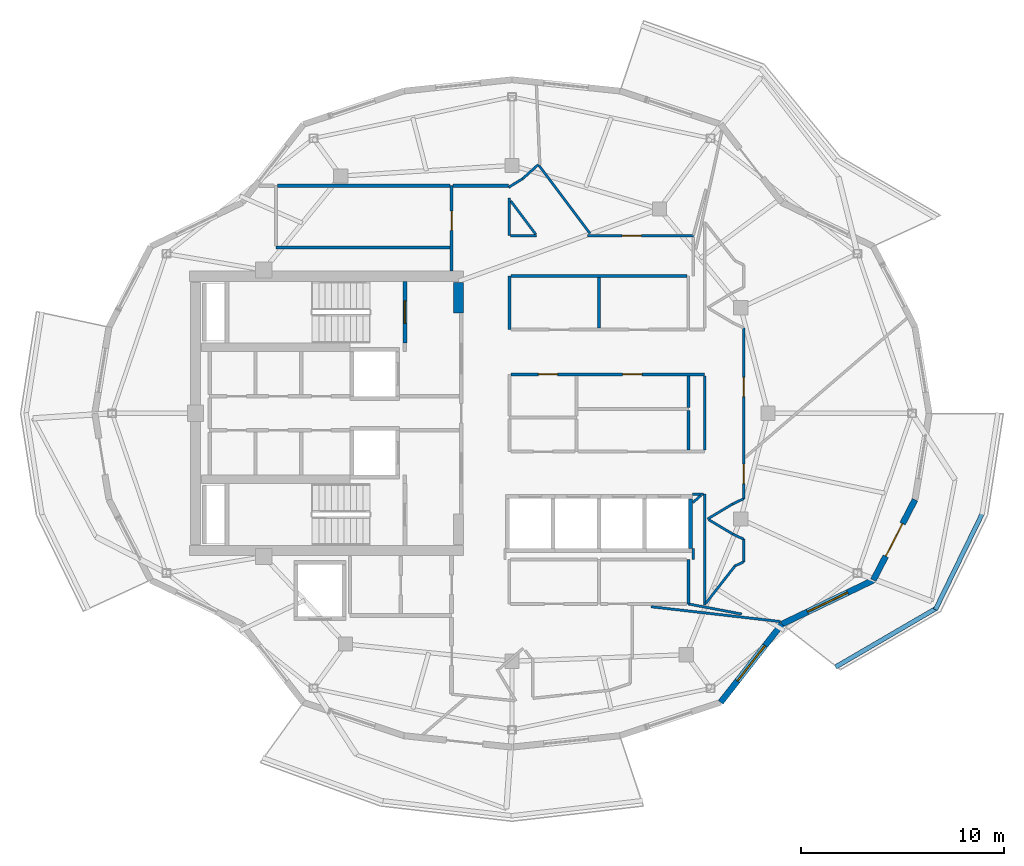
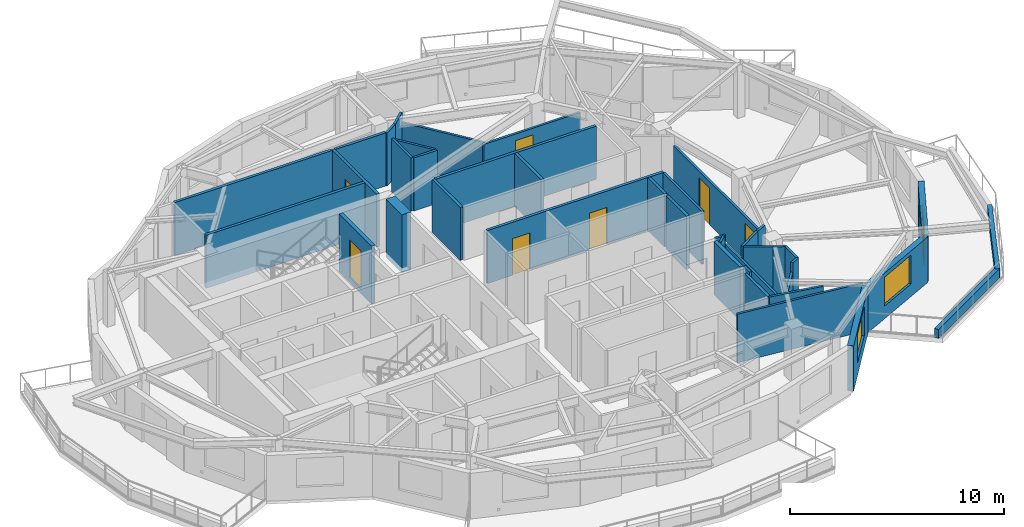
# One storey, part 6 of 11: 41 walls, 8 doors, 2 windows, 10 openings.
"""IFC4 building model written with IfcOpenShell, lengths in metres."""

from ifc_helpers import new_model, si_unit, direction, frame, frame_2d, origin, place, context, subcontext, project, spatial, rectangle, extrude, material, layer, layer_set, type_object, element, fill, save


model = new_model("IFC4")

# Units and contexts
model_context = context("Model", 3, precision=1e-05, world=origin(), true_north=direction((0.0, 1.0)))
body_context = subcontext(model_context, "Body", "Model", "MODEL_VIEW")
ifc_project = project(units=[si_unit("LENGTHUNIT", "METRE"), si_unit("AREAUNIT", "SQUARE_METRE"), si_unit("VOLUMEUNIT", "CUBIC_METRE"), si_unit("PLANEANGLEUNIT", "RADIAN"), si_unit("MASSUNIT", "GRAM", prefix="KILO")], contexts=[model_context])

# Site, building, storey
site_placement = place(None, origin())
site = spatial("IfcSite", under=ifc_project, at=site_placement, CompositionType="ELEMENT")
building_placement = place(site_placement, origin())
building = spatial("IfcBuilding", under=site, at=building_placement, Name="Kolvaren Gate Tower and Convention Centre", CompositionType="ELEMENT")
storey_placement = place(building_placement, frame((0.0, 0.0, 262.39990234375)))
storey = spatial("IfcBuildingStorey", under=building, at=storey_placement, Name="L71", CompositionType="ELEMENT", Elevation=262.39990234375)

# Walls
ifc_material_1 = material(Name="Fire-Rated Acoustic Gypsum Stud Partition", Category="gypsum")
ifc_layer_1 = layer(ifc_material_1, 0.1201171875)
ifc_layer_set_1 = layer_set([ifc_layer_1], Name="Fire-Rated Acoustic Gypsum Stud Partition")
wall_type_1 = type_object("IfcWallType", Name="ARCH-WL-PART-120", PredefinedType="PARTITIONING", material=ifc_layer_set_1)
wall_1_placement = place(storey_placement, frame((30.0, 35.75, 0.0), z_axis=(0.0, 0.0, 1.0), x_axis=(0.0, 1.0, 0.0)))
element("IfcWall", 1, at=wall_1_placement, inside=storey, type_object=wall_type_1, Name="Interior Partition WL-L71-INT-020", PredefinedType="PARTITIONING", context=body_context, shape_type="SweptSolid", body=[
    extrude(rectangle(XDim=1.8369140625, YDim=0.1201171875, at=frame_2d((0.91845703125, 0.0))), origin(), (0.0, 0.0, 1.0), 3.030029296875),
])
wall_2_placement = place(storey_placement, frame((29.9599609375, 38.123046875, 0.0), z_axis=(0.0, 0.0, 1.0), x_axis=(0.852506956574, 0.522715877885, 0.0)))
element("IfcWall", 2, at=wall_2_placement, inside=storey, type_object=wall_type_1, Name="Interior Partition WL-L71-INT-037", PredefinedType="PARTITIONING", context=body_context, shape_type="SweptSolid", body=[
    extrude(rectangle(XDim=0.81884765625, YDim=0.1201171875, at=frame_2d((0.409423828125, 0.0))), origin(), (0.0, 0.0, 1.0), 3.030029296875),
])
wall_3_placement = place(storey_placement, frame((30.657958984375, 38.551025390625, 0.0), z_axis=(0.0, 0.0, 1.0), x_axis=(0.74084279818, 0.671678456097, 0.0)))
element("IfcWall", 3, at=wall_3_placement, inside=storey, type_object=wall_type_1, Name="Interior Partition WL-L71-INT-038", PredefinedType="PARTITIONING", context=body_context, shape_type="SweptSolid", body=[
    extrude(rectangle(XDim=1.027099609375, YDim=0.1201171875, at=frame_2d((0.513671875, 0.0))), origin(), (0.0, 0.0, 1.0), 3.030029296875),
])
wall_4_placement = place(storey_placement, frame((31.456298828125, 39.191162109375, 0.0), z_axis=(0.0, 0.0, 1.0), x_axis=(0.600056078533, -0.799957938029, 0.0)))
element("IfcWall", 4, at=wall_4_placement, inside=storey, type_object=wall_type_1, Name="Interior Partition WL-L71-INT-039", PredefinedType="PARTITIONING", context=body_context, shape_type="SweptSolid", body=[
    extrude(rectangle(XDim=4.17919921875, YDim=0.1201171875, at=frame_2d((2.089599609375, 0.0))), origin(), (0.0, 0.0, 1.0), 2.47802734375),
])
wall_5_placement = place(storey_placement, frame((30.06201171875, 35.75, 0.0), z_axis=(0.0, 0.0, 1.0), x_axis=(1.0, 0.0, 0.0)))
element("IfcWall", 5, at=wall_5_placement, inside=storey, type_object=wall_type_1, Name="Interior Partition WL-L71-INT-040", PredefinedType="PARTITIONING", context=body_context, shape_type="SweptSolid", body=[
    extrude(rectangle(XDim=1.27490234375, YDim=0.1201171875, at=frame_2d((0.637451171875, 0.0))), origin(), (0.0, 0.0, 1.0), 3.030029296875),
])

# Wall, opening, door
wall_6_placement = place(storey_placement, frame((33.8330078125, 35.75, 0.0), z_axis=(0.0, 0.0, 1.0), x_axis=(1.0, 0.0, 0.0)))
wall_6 = element("IfcWall", 6, at=wall_6_placement, inside=storey, type_object=wall_type_1, Name="Interior Partition WL-L71-INT-041", PredefinedType="PARTITIONING", context=body_context, shape_type="SweptSolid", body=[
    extrude(rectangle(XDim=5.217041015625, YDim=0.1201171875, at=frame_2d((2.6083984375, 0.0))), origin(), (0.0, 0.0, 1.0), 2.47802734375),
])
opening_1_placement = place(wall_6_placement, frame((1.71337890625, 0.0, 0.0)))
opening_1 = element("IfcOpeningElement", 7, at=opening_1_placement, cuts=wall_6, Name="Opening DR-01", PredefinedType="OPENING", context=body_context, shape_type="SweptSolid", body=[
    extrude(rectangle(XDim=0.949951171875, YDim=2.10009765625, at=frame_2d((0.47509765625, 1.050048828125))), frame((0.0, 0.070068359375, 0.0), z_axis=(0.0, -1.0, 0.0), x_axis=(1.0, 0.0, 0.0)), (0.0, 0.0, 1.0), 0.14013671875),
])
ifc_material_2 = material(Name="Painted Architectural Steelwork ASTM A500 Grade C 345 MPa", Category="steel")
door_type_1 = type_object("IfcDoorType", Name="ARCH-DR-RISER-950", OperationType="SINGLE_SWING_RIGHT", PredefinedType="DOOR", material=ifc_material_2)
door_1_placement = place(opening_1_placement, origin())
door_1 = element("IfcDoor", 8, at=door_1_placement, inside=storey, type_object=door_type_1, Name="Crown Executive Office Door", OperationType="SINGLE_SWING_RIGHT", OverallHeight=2.10009765625, OverallWidth=0.949951171875, PredefinedType="DOOR", context=body_context, shape_type="SweptSolid", body=[
    extrude(rectangle(XDim=0.949951171875, YDim=2.10009765625, at=frame_2d((0.47509765625, 1.050048828125))), frame((0.0, 0.02490234375, 0.0), z_axis=(0.0, -1.0, 0.0), x_axis=(1.0, 0.0, 0.0)), (0.0, 0.0, 1.0), 0.050048828125),
])
fill(opening_1, door_1)

# Walls
wall_7_placement = place(storey_placement, frame((39.050048828125, 19.800048828125, 0.0), z_axis=(0.0, 0.0, 1.0), x_axis=(0.0, 1.0, 0.0)))
element("IfcWall", 9, at=wall_7_placement, inside=storey, type_object=wall_type_1, Name="Interior Partition WL-L71-INT-042", PredefinedType="PARTITIONING", context=body_context, shape_type="SweptSolid", body=[
    extrude(rectangle(XDim=0.56005859375, YDim=0.1201171875, at=frame_2d((0.280029296875, 0.0))), origin(), (0.0, 0.0, 1.0), 3.030029296875),
])
wall_8_placement = place(storey_placement, frame((39.60009765625, 17.572998046875, 0.0), z_axis=(0.0, 0.0, 1.0), x_axis=(0.0, 1.0, 0.0)))
element("IfcWall", 10, at=wall_8_placement, inside=storey, type_object=wall_type_1, Name="Interior Partition WL-L71-INT-044", PredefinedType="PARTITIONING", context=body_context, shape_type="SweptSolid", body=[
    extrude(rectangle(XDim=5.447021484375, YDim=0.1201171875, at=frame_2d((2.7236328125, 0.0))), origin(), (0.0, 0.0, 1.0), 2.47802734375),
])
wall_9_placement = place(storey_placement, frame((39.60009765625, 25.197021484375, 0.0), z_axis=(0.0, 0.0, 1.0), x_axis=(0.0, 1.0, 0.0)))
element("IfcWall", 11, at=wall_9_placement, inside=storey, type_object=wall_type_1, Name="Interior Partition WL-L71-INT-045", PredefinedType="PARTITIONING", context=body_context, shape_type="SweptSolid", body=[
    extrude(rectangle(XDim=3.64599609375, YDim=0.1201171875, at=frame_2d((1.822998046875, 0.0))), origin(), (0.0, 0.0, 1.0), 3.030029296875),
])
wall_10_placement = place(storey_placement, frame((41.52001953125, 19.69091796875, 0.0), z_axis=(0.0, 0.0, 1.0), x_axis=(0.0, 1.0, 0.0)))
element("IfcWall", 12, at=wall_10_placement, inside=storey, type_object=wall_type_1, Name="Interior Partition WL-L71-INT-049", PredefinedType="PARTITIONING", context=body_context, shape_type="SweptSolid", body=[
    extrude(rectangle(XDim=1.115966796875, YDim=0.1201171875, at=frame_2d((0.55810546875, 0.0))), origin(), (0.0, 0.0, 1.0), 3.030029296875),
])

# Wall, openings, doors
wall_11_placement = place(storey_placement, frame((41.52001953125, 22.7939453125, 0.0), z_axis=(0.0, 0.0, 1.0), x_axis=(0.0, 1.0, 0.0)))
wall_11 = element("IfcWall", 13, at=wall_11_placement, inside=storey, type_object=wall_type_1, Name="Interior Partition WL-L71-INT-050", PredefinedType="PARTITIONING", context=body_context, shape_type="SweptSolid", body=[
    extrude(rectangle(XDim=8.412109375, YDim=0.1201171875, at=frame_2d((4.2060546875, 0.0))), origin(), (0.0, 0.0, 1.0), 2.47802734375),
])
opening_2_placement = place(wall_11_placement, frame((0.751708984375, 0.0, 0.0)))
opening_2 = element("IfcOpeningElement", 14, at=opening_2_placement, cuts=wall_11, Name="Opening DR-01", PredefinedType="OPENING", context=body_context, shape_type="SweptSolid", body=[
    extrude(rectangle(XDim=0.949951171875, YDim=2.10009765625, at=frame_2d((0.47509765625, 1.050048828125))), frame((0.0, 0.070068359375, 0.0), z_axis=(0.0, -1.0, 0.0), x_axis=(1.0, 0.0, 0.0)), (0.0, 0.0, 1.0), 0.14013671875),
])
opening_3_placement = place(wall_11_placement, frame((5.03125, 0.0, 0.0)))
opening_3 = element("IfcOpeningElement", 15, at=opening_3_placement, cuts=wall_11, Name="Opening DR-01", PredefinedType="OPENING", context=body_context, shape_type="SweptSolid", body=[
    extrude(rectangle(XDim=0.949951171875, YDim=2.10009765625, at=frame_2d((0.47509765625, 1.050048828125))), frame((0.0, 0.070068359375, 0.0), z_axis=(0.0, -1.0, 0.0), x_axis=(1.0, 0.0, 0.0)), (0.0, 0.0, 1.0), 0.14013671875),
])
door_2_placement = place(opening_2_placement, origin())
door_2 = element("IfcDoor", 16, at=door_2_placement, inside=storey, type_object=door_type_1, Name="Resident Quiet Study Office Door", OperationType="SINGLE_SWING_RIGHT", OverallHeight=2.10009765625, OverallWidth=0.949951171875, PredefinedType="DOOR", context=body_context, shape_type="SweptSolid", body=[
    extrude(rectangle(XDim=0.949951171875, YDim=2.10009765625, at=frame_2d((0.47509765625, 1.050048828125))), frame((0.0, 0.02490234375, 0.0), z_axis=(0.0, -1.0, 0.0), x_axis=(1.0, 0.0, 0.0)), (0.0, 0.0, 1.0), 0.050048828125),
])
fill(opening_2, door_2)
door_3_placement = place(opening_3_placement, origin())
door_3 = element("IfcDoor", 17, at=door_3_placement, inside=storey, type_object=door_type_1, Name="Resident Private Study Door", OperationType="SINGLE_SWING_LEFT", OverallHeight=2.10009765625, OverallWidth=0.949951171875, PredefinedType="DOOR", context=body_context, shape_type="SweptSolid", body=[
    extrude(rectangle(XDim=0.949951171875, YDim=2.10009765625, at=frame_2d((0.47509765625, 1.050048828125))), frame((0.0, 0.02490234375, 0.0), z_axis=(0.0, -1.0, 0.0), x_axis=(1.0, 0.0, 0.0)), (0.0, 0.0, 1.0), 0.050048828125),
])
fill(opening_3, door_3)

# Walls
wall_12_placement = place(storey_placement, frame((40.986083984375, 22.541015625, 0.0), z_axis=(0.0, 0.0, 1.0), x_axis=(0.903729424576, 0.428104107847, 0.0)))
element("IfcWall", 18, at=wall_12_placement, inside=storey, type_object=wall_type_1, Name="Interior Partition WL-L71-INT-056", PredefinedType="PARTITIONING", context=body_context, shape_type="SweptSolid", body=[
    extrude(rectangle(XDim=0.5908203125, YDim=0.1201171875, at=frame_2d((0.29541015625, 0.0))), origin(), (0.0, 0.0, 1.0), 3.030029296875),
])
wall_13_placement = place(storey_placement, frame((39.75, 21.800048828125, 0.0), z_axis=(0.0, 0.0, 1.0), x_axis=(0.857702120906, 0.514146935996, 0.0)))
element("IfcWall", 19, at=wall_13_placement, inside=storey, type_object=wall_type_1, Name="Interior Partition WL-L71-INT-057", PredefinedType="PARTITIONING", context=body_context, shape_type="SweptSolid", body=[
    extrude(rectangle(XDim=1.441162109375, YDim=0.1201171875, at=frame_2d((0.720703125, 0.0))), origin(), (0.0, 0.0, 1.0), 3.030029296875),
])
wall_14_placement = place(storey_placement, frame((39.810302734375, 21.763916015625, 0.0), z_axis=(0.0, 0.0, 1.0), x_axis=(0.858011245414, -0.513630901273, 0.0)))
element("IfcWall", 20, at=wall_14_placement, inside=storey, type_object=wall_type_1, Name="Interior Partition WL-L71-INT-058", PredefinedType="PARTITIONING", context=body_context, shape_type="SweptSolid", body=[
    extrude(rectangle(XDim=1.370361328125, YDim=0.1201171875, at=frame_2d((0.68505859375, 0.0))), origin(), (0.0, 0.0, 1.0), 3.030029296875),
])
wall_15_placement = place(storey_placement, frame((40.986083984375, 21.06005859375, 0.0), z_axis=(0.0, 0.0, 1.0), x_axis=(0.90356951601, -0.428441512621, 0.0)))
element("IfcWall", 21, at=wall_15_placement, inside=storey, type_object=wall_type_1, Name="Interior Partition WL-L71-INT-059", PredefinedType="PARTITIONING", context=body_context, shape_type="SweptSolid", body=[
    extrude(rectangle(XDim=0.5908203125, YDim=0.1201171875, at=frame_2d((0.29541015625, 0.0))), origin(), (0.0, 0.0, 1.0), 3.030029296875),
])
wall_16_placement = place(storey_placement, frame((41.10009765625, 19.489990234375, 0.0), z_axis=(0.0, 0.0, 1.0), x_axis=(0.902054328377, 0.431622507125, 0.0)))
element("IfcWall", 22, at=wall_16_placement, inside=storey, type_object=wall_type_1, Name="Interior Partition WL-L71-INT-060", PredefinedType="PARTITIONING", context=body_context, shape_type="SweptSolid", body=[
    extrude(rectangle(XDim=0.465576171875, YDim=0.1201171875, at=frame_2d((0.23291015625, 0.0))), origin(), (0.0, 0.0, 1.0), 3.030029296875),
])
wall_17_placement = place(storey_placement, frame((39.662109375, 17.652099609375, 0.0), z_axis=(0.0, 0.0, 1.0), x_axis=(0.616212345115, 0.78758005671, 0.0)))
element("IfcWall", 23, at=wall_17_placement, inside=storey, type_object=wall_type_1, Name="Interior Partition WL-L71-INT-061", PredefinedType="PARTITIONING", context=body_context, shape_type="SweptSolid", body=[
    extrude(rectangle(XDim=2.33349609375, YDim=0.1201171875, at=frame_2d((1.166748046875, 0.0))), origin(), (0.0, 0.0, 1.0), 2.47802734375),
])
wall_18_placement = place(storey_placement, frame((39.0, 23.02001953125, 0.0), z_axis=(0.0, 0.0, 1.0), x_axis=(1.0, 0.0, 0.0)))
element("IfcWall", 24, at=wall_18_placement, inside=storey, type_object=wall_type_1, Name="Interior Partition WL-L71-INT-062", PredefinedType="PARTITIONING", context=body_context, shape_type="SweptSolid", body=[
    extrude(rectangle(XDim=0.5380859375, YDim=0.1201171875, at=frame_2d((0.26904296875, 0.0))), origin(), (0.0, 0.0, 1.0), 3.030029296875),
])
wall_19_placement = place(storey_placement, frame((30.06201171875, 37.450927734375, 0.0), z_axis=(0.0, 0.0, 1.0), x_axis=(0.599790195836, -0.800157310145, 0.0)))
element("IfcWall", 25, at=wall_19_placement, inside=storey, type_object=wall_type_1, Name="Interior Partition WL-L71-INT-072", PredefinedType="PARTITIONING", context=body_context, shape_type="SweptSolid", body=[
    extrude(rectangle(XDim=2.04833984375, YDim=0.1201171875, at=frame_2d((1.024169921875, 0.0))), origin(), (0.0, 0.0, 1.0), 3.030029296875),
])
wall_20_placement = place(storey_placement, frame((39.019775390625, 22.611083984375, 0.0), z_axis=(0.0, 0.0, 1.0), x_axis=(0.75812166899, 0.652113130529, 0.0)))
element("IfcWall", 26, at=wall_20_placement, inside=storey, type_object=wall_type_1, Name="Interior Partition WL-L71-INT-075", PredefinedType="PARTITIONING", context=body_context, shape_type="SweptSolid", body=[
    extrude(rectangle(XDim=0.531982421875, YDim=0.1201171875, at=frame_2d((0.26611328125, 0.0))), origin(), (0.0, 0.0, 1.0), 3.030029296875),
])
wall_21_placement = place(storey_placement, frame((36.972412109375, 17.48291015625, 0.0), z_axis=(0.0, 0.0, 1.0), x_axis=(0.993465006101, -0.114137117773, 0.0)))
element("IfcWall", 27, at=wall_21_placement, inside=storey, type_object=wall_type_1, Name="Interior Partition WL-L71-INT-077", PredefinedType="PARTITIONING", context=body_context, shape_type="SweptSolid", body=[
    extrude(rectangle(XDim=6.412841796875, YDim=0.1201171875, at=frame_2d((3.20654296875, 0.0))), origin(), (0.0, 0.0, 1.0), 2.77001953125),
])
wall_22_placement = place(storey_placement, frame((38.800048828125, 17.6201171875, 0.0), z_axis=(0.0, 0.0, 1.0), x_axis=(0.982513005499, -0.186193968823, 0.0)))
element("IfcWall", 28, at=wall_22_placement, inside=storey, type_object=wall_type_1, Name="Interior Partition WL-L71-INT-078", PredefinedType="PARTITIONING", context=body_context, shape_type="SweptSolid", body=[
    extrude(rectangle(XDim=2.67626953125, YDim=0.1201171875, at=frame_2d((1.338134765625, 0.0))), origin(), (0.0, 0.0, 1.0), 3.030029296875),
])
ifc_material_3 = material(Name="Piedmont Cream Honed Limestone Cladding", Category="masonry")
ifc_layer_2 = layer(ifc_material_3, 0.219970703125)
ifc_layer_set_2 = layer_set([ifc_layer_2], Name="Piedmont Cream Honed Limestone Cladding")
wall_type_2 = type_object("IfcWallType", Name="ARCH-WL-PLANTER-220", PredefinedType="PARAPET", material=ifc_layer_set_2)
wall_23_placement = place(storey_placement, frame((46.0478515625, 14.515380859375, 0.0), z_axis=(0.0, 0.0, 1.0), x_axis=(0.863803671285, 0.503828559606, 0.0)))
element("IfcWall", 29, at=wall_23_placement, inside=storey, type_object=wall_type_2, Name="Vertical-Forest Balcony Stone Planter Kerb PK-L71-4.1", PredefinedType="PARAPET", context=body_context, shape_type="SweptSolid", body=[
    extrude(rectangle(XDim=5.719482421875, YDim=0.219970703125, at=frame_2d((2.85986328125, 0.0))), origin(), (0.0, 0.0, 1.0), 0.52001953125),
])
wall_24_placement = place(storey_placement, frame((50.96240234375, 17.341064453125, 0.0), z_axis=(0.0, 0.0, 1.0), x_axis=(0.438469339137, 0.898746148051, 0.0)))
element("IfcWall", 30, at=wall_24_placement, inside=storey, type_object=wall_type_2, Name="Vertical-Forest Balcony Stone Planter Kerb PK-L71-4.2", PredefinedType="PARAPET", context=body_context, shape_type="SweptSolid", body=[
    extrude(rectangle(XDim=5.26171875, YDim=0.219970703125, at=frame_2d((2.630859375, 0.0))), origin(), (0.0, 0.0, 1.0), 0.52001953125),
])
ifc_material_4 = material(Name="Autoclaved Aerated Masonry Blockwork Class 4 (4.0 MPa)", Category="masonry")
ifc_layer_3 = layer(ifc_material_4, 0.199951171875)
ifc_layer_set_3 = layer_set([ifc_layer_3], Name="Autoclaved Aerated Masonry Blockwork Class 4 (4.0 MPa)")
wall_type_3 = type_object("IfcWallType", Name="ARCH-WL-SHAFT-200", PredefinedType="SOLIDWALL", material=ifc_layer_set_3)
wall_25_placement = place(storey_placement, frame((38.89990234375, 20.360107421875, 0.0), z_axis=(0.0, 0.0, 1.0), x_axis=(0.0, 1.0, 0.0)))
element("IfcWall", 31, at=wall_25_placement, inside=storey, type_object=wall_type_3, Name="Elevator PL-12 L71 Fire Shaft Wall E", PredefinedType="SOLIDWALL", context=body_context, shape_type="SweptSolid", body=[
    extrude(rectangle(XDim=2.429931640625, YDim=0.199951171875, at=frame_2d((1.21484375, 0.0))), origin(), (0.0, 0.0, 1.0), 3.030029296875),
])

# Wall, opening, window
ifc_layer_4 = layer(ifc_material_3, 0.300048828125)
ifc_layer_set_4 = layer_set([ifc_layer_4], Name="Piedmont Cream Honed Limestone Cladding")
wall_type_4 = type_object("IfcWallType", Name="ARCH-WL-STONE-300", PredefinedType="SOLIDWALL", material=ifc_layer_set_4)
wall_26_placement = place(storey_placement, frame((40.390625, 12.775390625, 0.0), z_axis=(0.0, 0.0, 1.0), x_axis=(0.616413297421, 0.78742278781, 0.0)))
wall_26 = element("IfcWall", 32, at=wall_26_placement, inside=storey, type_object=wall_type_4, Name="Tower L71 Honed Stone Spandrel Wall EW-20", PredefinedType="SOLIDWALL", context=body_context, shape_type="SweptSolid", body=[
    extrude(rectangle(XDim=4.88818359375, YDim=0.300048828125, at=frame_2d((2.444091796875, 0.0))), origin(), (0.0, 0.0, 1.0), 2.60498046875),
])
opening_4_placement = place(wall_26_placement, frame((1.343994140625, 0.0, 0.719970703125)))
opening_4 = element("IfcOpeningElement", 33, at=opening_4_placement, cuts=wall_26, Name="Opening W-03", PredefinedType="OPENING", context=body_context, shape_type="SweptSolid", body=[
    extrude(rectangle(XDim=2.199951171875, YDim=1.64990234375, at=frame_2d((1.10009765625, 0.824951171875))), frame((0.0, 0.159912109375, 0.0), z_axis=(0.0, -1.0, 0.0), x_axis=(1.0, 0.0, 0.0)), (0.0, 0.0, 1.0), 0.320068359375),
])
ifc_material_5 = material(Name="Low-E Triple Insulated Glazing Unit 44 mm", Category="glass")
window_type = type_object("IfcWindowType", Name="ARCH-WN-RES-2200", PartitioningType="SINGLE_PANEL", PredefinedType="WINDOW", material=ifc_material_5)
window_1_placement = place(opening_4_placement, origin())
window_1 = element("IfcWindow", 34, at=window_1_placement, inside=storey, type_object=window_type, Name="Tower L71 Punched Stone Facade Window W-20", OverallHeight=1.64990234375, OverallWidth=2.199951171875, PartitioningType="SINGLE_PANEL", PredefinedType="WINDOW", context=body_context, shape_type="SweptSolid", body=[
    extrude(rectangle(XDim=2.199951171875, YDim=1.64990234375, at=frame_2d((1.10009765625, 0.824951171875))), frame((0.0, 0.030029296875, 0.0), z_axis=(0.0, -1.0, 0.0), x_axis=(1.0, 0.0, 0.0)), (0.0, 0.0, 1.0), 0.06005859375),
])
fill(opening_4, window_1)

wall_27_placement = place(storey_placement, frame((43.40380859375, 16.62451171875, 0.0), z_axis=(0.0, 0.0, 1.0), x_axis=(0.901346013132, 0.433099716706, 0.0)))
wall_27 = element("IfcWall", 35, at=wall_27_placement, inside=storey, type_object=wall_type_4, Name="Tower L71 Honed Stone Spandrel Wall EW-21", PredefinedType="SOLIDWALL", context=body_context, shape_type="SweptSolid", body=[
    extrude(rectangle(XDim=4.994384765625, YDim=0.300048828125, at=frame_2d((2.4970703125, 0.0))), origin(), (0.0, 0.0, 1.0), 2.60498046875),
])
opening_5_placement = place(wall_27_placement, frame((1.39697265625, 0.0, 0.719970703125)))
opening_5 = element("IfcOpeningElement", 36, at=opening_5_placement, cuts=wall_27, Name="Opening W-03", PredefinedType="OPENING", context=body_context, shape_type="SweptSolid", body=[
    extrude(rectangle(XDim=2.199951171875, YDim=1.64990234375, at=frame_2d((1.10009765625, 0.824951171875))), frame((0.0, 0.159912109375, 0.0), z_axis=(0.0, -1.0, 0.0), x_axis=(1.0, 0.0, 0.0)), (0.0, 0.0, 1.0), 0.320068359375),
])
window_2_placement = place(opening_5_placement, origin())
window_2 = element("IfcWindow", 37, at=window_2_placement, inside=storey, type_object=window_type, Name="Tower L71 Punched Stone Facade Window W-21", OverallHeight=1.64990234375, OverallWidth=2.199951171875, PartitioningType="SINGLE_PANEL", PredefinedType="WINDOW", context=body_context, shape_type="SweptSolid", body=[
    extrude(rectangle(XDim=2.199951171875, YDim=1.64990234375, at=frame_2d((1.10009765625, 0.824951171875))), frame((0.0, 0.030029296875, 0.0), z_axis=(0.0, -1.0, 0.0), x_axis=(1.0, 0.0, 0.0)), (0.0, 0.0, 1.0), 0.06005859375),
])
fill(opening_5, window_2)

# Wall, opening, door
wall_28_placement = place(storey_placement, frame((47.905517578125, 18.78759765625, 0.0), z_axis=(0.0, 0.0, 1.0), x_axis=(0.459801070243, 0.888021945564, 0.0)))
wall_28 = element("IfcWall", 38, at=wall_28_placement, inside=storey, type_object=wall_type_4, Name="Tower L71 Honed Stone Spandrel Wall EW-22", PredefinedType="SOLIDWALL", context=body_context, shape_type="SweptSolid", body=[
    extrude(rectangle(XDim=4.460693359375, YDim=0.300048828125, at=frame_2d((2.23046875, 0.0))), origin(), (0.0, 0.0, 1.0), 2.60498046875),
])
opening_6_placement = place(wall_28_placement, frame((1.330078125, 0.0, 0.0)))
opening_6 = element("IfcOpeningElement", 39, at=opening_6_placement, cuts=wall_28, Name="Opening DB-01", PredefinedType="OPENING", context=body_context, shape_type="SweptSolid", body=[
    extrude(rectangle(XDim=1.800048828125, YDim=2.25, at=frame_2d((0.89990234375, 1.125))), frame((0.0, 0.159912109375, 0.0), z_axis=(0.0, -1.0, 0.0), x_axis=(1.0, 0.0, 0.0)), (0.0, 0.0, 1.0), 0.320068359375),
])
ifc_material_6 = material(Name="Anodized Architectural Aluminium Alloy 6063-T6", Category="aluminium")
door_type_2 = type_object("IfcDoorType", Name="ARCH-DR-BALC-1800", OperationType="SLIDING_TO_LEFT", PredefinedType="DOOR", material=ifc_material_6)
door_4_placement = place(opening_6_placement, frame((1.800048828125, 0.0, 0.0), z_axis=(0.0, 0.0, 1.0), x_axis=(-1.0, 0.0, 0.0)))
door_4 = element("IfcDoor", 40, at=door_4_placement, inside=storey, type_object=door_type_2, Name="Planted Sky Terrace Access Door DB-L71-22", OperationType="SLIDING_TO_LEFT", OverallHeight=2.25, OverallWidth=1.800048828125, PredefinedType="DOOR", context=body_context, shape_type="SweptSolid", body=[
    extrude(rectangle(XDim=1.800048828125, YDim=2.25, at=frame_2d((0.89990234375, 1.125))), frame((0.0, 0.02490234375, 0.0), z_axis=(0.0, -1.0, 0.0), x_axis=(1.0, 0.0, 0.0)), (0.0, 0.0, 1.0), 0.050048828125),
])
fill(opening_6, door_4)

ifc_material_7 = material(Name="Moisture-Resistant Cement-Board Acoustic Partition", Category="gypsum")
ifc_layer_5 = layer(ifc_material_7, 0.14990234375)
ifc_layer_set_5 = layer_set([ifc_layer_5], Name="Moisture-Resistant Cement-Board Acoustic Partition")
wall_type_5 = type_object("IfcWallType", Name="ARCH-WL-WET-150", PredefinedType="PARTITIONING", material=ifc_layer_set_5)
wall_29_placement = place(storey_placement, frame((27.14990234375, 34.001953125, 0.0), z_axis=(0.0, 0.0, 1.0), x_axis=(0.0, 1.0, 0.0)))
wall_29 = element("IfcWall", 41, at=wall_29_placement, inside=storey, type_object=wall_type_5, Name="Interior Partition WL-L71-INT-015", PredefinedType="PARTITIONING", context=body_context, shape_type="SweptSolid", body=[
    extrude(rectangle(XDim=4.197998046875, YDim=0.14990234375, at=frame_2d((2.09912109375, 0.0))), origin(), (0.0, 0.0, 1.0), 3.030029296875),
])
opening_7_placement = place(wall_29_placement, frame((1.998046875, 0.0, 0.0)))
opening_7 = element("IfcOpeningElement", 42, at=opening_7_placement, cuts=wall_29, Name="Opening DR-01", PredefinedType="OPENING", context=body_context, shape_type="SweptSolid", body=[
    extrude(rectangle(XDim=0.949951171875, YDim=2.10009765625, at=frame_2d((0.47509765625, 1.050048828125))), frame((0.0, 0.0849609375, 0.0), z_axis=(0.0, -1.0, 0.0), x_axis=(1.0, 0.0, 0.0)), (0.0, 0.0, 1.0), 0.169921875),
])
door_5_placement = place(opening_7_placement, origin())
door_5 = element("IfcDoor", 43, at=door_5_placement, inside=storey, type_object=door_type_1, Name="Reclaimed North Resident Store Door", OperationType="SINGLE_SWING_RIGHT", OverallHeight=2.10009765625, OverallWidth=0.949951171875, PredefinedType="DOOR", context=body_context, shape_type="SweptSolid", body=[
    extrude(rectangle(XDim=0.949951171875, YDim=2.10009765625, at=frame_2d((0.47509765625, 1.050048828125))), frame((0.0, 0.02490234375, 0.0), z_axis=(0.0, -1.0, 0.0), x_axis=(1.0, 0.0, 0.0)), (0.0, 0.0, 1.0), 0.050048828125),
])
fill(opening_7, door_5)

# Wall
wall_30_placement = place(storey_placement, frame((30.0, 31.1201171875, 0.0), z_axis=(0.0, 0.0, 1.0), x_axis=(0.0, 1.0, 0.0)))
element("IfcWall", 44, at=wall_30_placement, inside=storey, type_object=wall_type_5, Name="Interior Partition WL-L71-INT-019", PredefinedType="PARTITIONING", context=body_context, shape_type="SweptSolid", body=[
    extrude(rectangle(XDim=2.6298828125, YDim=0.14990234375, at=frame_2d((1.31494140625, 0.0))), origin(), (0.0, 0.0, 1.0), 3.030029296875),
])

# Wall, openings, doors
wall_31_placement = place(storey_placement, frame((30.076904296875, 28.919921875, 0.0), z_axis=(0.0, 0.0, 1.0), x_axis=(1.0, 0.0, 0.0)))
wall_31 = element("IfcWall", 45, at=wall_31_placement, inside=storey, type_object=wall_type_5, Name="Interior Partition WL-L71-INT-021", PredefinedType="PARTITIONING", context=body_context, shape_type="SweptSolid", body=[
    extrude(rectangle(XDim=9.523193359375, YDim=0.14990234375, at=frame_2d((4.76171875, 0.0))), origin(), (0.0, 0.0, 1.0), 3.030029296875),
])
opening_8_placement = place(wall_31_placement, frame((1.341552734375, 0.0, 0.0)))
opening_8 = element("IfcOpeningElement", 46, at=opening_8_placement, cuts=wall_31, Name="Opening DR-01", PredefinedType="OPENING", context=body_context, shape_type="SweptSolid", body=[
    extrude(rectangle(XDim=0.949951171875, YDim=2.10009765625, at=frame_2d((0.47509765625, 1.050048828125))), frame((0.0, 0.0849609375, 0.0), z_axis=(0.0, -1.0, 0.0), x_axis=(1.0, 0.0, 0.0)), (0.0, 0.0, 1.0), 0.169921875),
])
opening_9_placement = place(wall_31_placement, frame((5.498046875, 0.0, 0.0)))
opening_9 = element("IfcOpeningElement", 47, at=opening_9_placement, cuts=wall_31, Name="Opening DR-01", PredefinedType="OPENING", context=body_context, shape_type="SweptSolid", body=[
    extrude(rectangle(XDim=0.949951171875, YDim=2.10009765625, at=frame_2d((0.47509765625, 1.050048828125))), frame((0.0, 0.0849609375, 0.0), z_axis=(0.0, -1.0, 0.0), x_axis=(1.0, 0.0, 0.0)), (0.0, 0.0, 1.0), 0.169921875),
])
door_6_placement = place(opening_8_placement, origin())
door_6 = element("IfcDoor", 48, at=door_6_placement, inside=storey, type_object=door_type_1, Name="Accessible North Washroom Door", OperationType="SINGLE_SWING_RIGHT", OverallHeight=2.10009765625, OverallWidth=0.949951171875, PredefinedType="DOOR", context=body_context, shape_type="SweptSolid", body=[
    extrude(rectangle(XDim=0.949951171875, YDim=2.10009765625, at=frame_2d((0.47509765625, 1.050048828125))), frame((0.0, 0.02490234375, 0.0), z_axis=(0.0, -1.0, 0.0), x_axis=(1.0, 0.0, 0.0)), (0.0, 0.0, 1.0), 0.050048828125),
])
fill(opening_8, door_6)
door_7_placement = place(opening_9_placement, origin())
door_7 = element("IfcDoor", 49, at=door_7_placement, inside=storey, type_object=door_type_1, Name="Floor Janitor and Supply Store Door", OperationType="SINGLE_SWING_RIGHT", OverallHeight=2.10009765625, OverallWidth=0.949951171875, PredefinedType="DOOR", context=body_context, shape_type="SweptSolid", body=[
    extrude(rectangle(XDim=0.949951171875, YDim=2.10009765625, at=frame_2d((0.47509765625, 1.050048828125))), frame((0.0, 0.02490234375, 0.0), z_axis=(0.0, -1.0, 0.0), x_axis=(1.0, 0.0, 0.0)), (0.0, 0.0, 1.0), 0.050048828125),
])
fill(opening_9, door_7)

# Walls
wall_32_placement = place(storey_placement, frame((38.800048828125, 17.6201171875, 0.0), z_axis=(0.0, 0.0, 1.0), x_axis=(0.0, 1.0, 0.0)))
element("IfcWall", 50, at=wall_32_placement, inside=storey, type_object=wall_type_5, Name="Interior Partition WL-L71-INT-025", PredefinedType="PARTITIONING", context=body_context, shape_type="SweptSolid", body=[
    extrude(rectangle(XDim=2.179931640625, YDim=0.14990234375, at=frame_2d((1.08984375, 0.0))), origin(), (0.0, 0.0, 1.0), 3.030029296875),
])
wall_33_placement = place(storey_placement, frame((38.800048828125, 25.197021484375, 0.0), z_axis=(0.0, 0.0, 1.0), x_axis=(0.0, 1.0, 0.0)))
element("IfcWall", 51, at=wall_33_placement, inside=storey, type_object=wall_type_5, Name="Interior Partition WL-L71-INT-026", PredefinedType="PARTITIONING", context=body_context, shape_type="SweptSolid", body=[
    extrude(rectangle(XDim=1.946044921875, YDim=0.14990234375, at=frame_2d((0.97314453125, 0.0))), origin(), (0.0, 0.0, 1.0), 3.030029296875),
])
wall_34_placement = place(storey_placement, frame((38.800048828125, 27.297119140625, 0.0), z_axis=(0.0, 0.0, 1.0), x_axis=(0.0, 1.0, 0.0)))
element("IfcWall", 52, at=wall_34_placement, inside=storey, type_object=wall_type_5, Name="Interior Partition WL-L71-INT-026 (2)", PredefinedType="PARTITIONING", context=body_context, shape_type="SweptSolid", body=[
    extrude(rectangle(XDim=1.5458984375, YDim=0.14990234375, at=frame_2d((0.77294921875, 0.0))), origin(), (0.0, 0.0, 1.0), 3.030029296875),
])
wall_35_placement = place(storey_placement, frame((30.076904296875, 33.75, 0.0), z_axis=(0.0, 0.0, 1.0), x_axis=(1.0, 0.0, 0.0)))
element("IfcWall", 53, at=wall_35_placement, inside=storey, type_object=wall_type_5, Name="Interior Partition WL-L71-INT-029", PredefinedType="PARTITIONING", context=body_context, shape_type="SweptSolid", body=[
    extrude(rectangle(XDim=8.6611328125, YDim=0.14990234375, at=frame_2d((4.33056640625, 0.0))), origin(), (0.0, 0.0, 1.0), 3.030029296875),
])
wall_36_placement = place(storey_placement, frame((34.39990234375, 31.197021484375, 0.0), z_axis=(0.0, 0.0, 1.0), x_axis=(0.0, 1.0, 0.0)))
element("IfcWall", 54, at=wall_36_placement, inside=storey, type_object=wall_type_5, Name="Interior Partition WL-L71-INT-031", PredefinedType="PARTITIONING", context=body_context, shape_type="SweptSolid", body=[
    extrude(rectangle(XDim=2.47607421875, YDim=0.14990234375, at=frame_2d((1.238037109375, 0.0))), origin(), (0.0, 0.0, 1.0), 3.030029296875),
])
wall_37_placement = place(storey_placement, frame((18.5, 35.159912109375, 0.0), z_axis=(0.0, 0.0, 1.0), x_axis=(1.0, 0.0, 0.0)))
element("IfcWall", 55, at=wall_37_placement, inside=storey, type_object=wall_type_5, Name="Interior Partition WL-L71-INT-034", PredefinedType="PARTITIONING", context=body_context, shape_type="SweptSolid", body=[
    extrude(rectangle(XDim=8.572998046875, YDim=0.14990234375, at=frame_2d((4.28662109375, 0.0))), origin(), (0.0, 0.0, 1.0), 3.030029296875),
])
wall_38_placement = place(storey_placement, frame((18.576904296875, 38.199951171875, 0.0), z_axis=(0.0, 0.0, 1.0), x_axis=(1.0, 0.0, 0.0)))
element("IfcWall", 56, at=wall_38_placement, inside=storey, type_object=wall_type_5, Name="Interior Partition WL-L71-INT-036 (2)", PredefinedType="PARTITIONING", context=body_context, shape_type="SweptSolid", body=[
    extrude(rectangle(XDim=8.49609375, YDim=0.14990234375, at=frame_2d((4.248046875, 0.0))), origin(), (0.0, 0.0, 1.0), 3.030029296875),
])
wall_39_placement = place(storey_placement, frame((27.22705078125, 38.199951171875, 0.0), z_axis=(0.0, 0.0, 1.0), x_axis=(1.0, 0.0, 0.0)))
element("IfcWall", 57, at=wall_39_placement, inside=storey, type_object=wall_type_5, Name="Interior Partition WL-L71-INT-036 (3)", PredefinedType="PARTITIONING", context=body_context, shape_type="SweptSolid", body=[
    extrude(rectangle(XDim=2.73291015625, YDim=0.14990234375, at=frame_2d((1.366455078125, 0.0))), origin(), (0.0, 0.0, 1.0), 3.030029296875),
])
ifc_material_8 = material(Name="Concrete C50/60", Category="concrete")
ifc_layer_6 = layer(ifc_material_8, 0.5)
ifc_layer_set_6 = layer_set([ifc_layer_6], Name="Concrete C50/60")
wall_type_6 = type_object("IfcWallType", Name="STR-WL-CORE-500", PredefinedType="SHEAR", material=ifc_layer_set_6)
wall_40_placement = place(storey_placement, frame((27.5, 31.949951171875, -0.27001953125), z_axis=(0.0, 0.0, 1.0), x_axis=(0.0, 1.0, 0.0)))
element("IfcWall", 58, at=wall_40_placement, inside=storey, type_object=wall_type_6, Name="Tower L71 Offset Core Shear Wall EN", PredefinedType="SHEAR", context=body_context, shape_type="SweptSolid", body=[
    extrude(rectangle(XDim=1.5, YDim=0.5, at=frame_2d((0.75, 0.0))), origin(), (0.0, 0.0, 1.0), 3.300048828125),
])

# Wall, opening, door
ifc_layer_7 = layer(ifc_material_8, 0.199951171875)
ifc_layer_set_7 = layer_set([ifc_layer_7], Name="Concrete C50/60")
wall_type_7 = type_object("IfcWallType", Name="STR-WL-SHAFT-200", PredefinedType="SHEAR", material=ifc_layer_set_7)
wall_41_placement = place(storey_placement, frame((24.85009765625, 30.4599609375, -0.27001953125), z_axis=(0.0, 0.0, 1.0), x_axis=(0.0, 1.0, 0.0)))
wall_41 = element("IfcWall", 59, at=wall_41_placement, inside=storey, type_object=wall_type_7, Name="Tower North Exit Stair ST-T1 L71 Structural Shear Enclosure Wall NEAR", PredefinedType="SHEAR", context=body_context, shape_type="SweptSolid", body=[
    extrude(rectangle(XDim=3.0380859375, YDim=0.199951171875, at=frame_2d((1.51904296875, 0.0))), origin(), (0.0, 0.0, 1.0), 3.300048828125),
])
opening_10_placement = place(wall_41_placement, frame((0.968994140625, 0.0, 0.27001953125)))
opening_10 = element("IfcOpeningElement", 60, at=opening_10_placement, cuts=wall_41, Name="Opening DS-01", PredefinedType="OPENING", context=body_context, shape_type="SweptSolid", body=[
    extrude(rectangle(XDim=1.10009765625, YDim=2.14990234375, at=frame_2d((0.550048828125, 1.074951171875))), frame((0.0, 0.10986328125, 0.0), z_axis=(0.0, -1.0, 0.0), x_axis=(1.0, 0.0, 0.0)), (0.0, 0.0, 1.0), 0.219970703125),
])
door_type_3 = type_object("IfcDoorType", Name="ARCH-DR-STAIR-1100", OperationType="SINGLE_SWING_LEFT", PredefinedType="DOOR", material=ifc_material_2)
door_8_placement = place(opening_10_placement, origin())
door_8 = element("IfcDoor", 61, at=door_8_placement, inside=storey, type_object=door_type_3, Name="Tower North Exit Stair ST-T1 L71 Fire Exit Stair Door", OperationType="SINGLE_SWING_LEFT", OverallHeight=2.14990234375, OverallWidth=1.10009765625, PredefinedType="DOOR", context=body_context, shape_type="SweptSolid", body=[
    extrude(rectangle(XDim=1.10009765625, YDim=2.14990234375, at=frame_2d((0.550048828125, 1.074951171875))), frame((0.0, 0.02490234375, 0.0), z_axis=(0.0, -1.0, 0.0), x_axis=(1.0, 0.0, 0.0)), (0.0, 0.0, 1.0), 0.050048828125),
])
fill(opening_10, door_8)

save(model, "model.ifc")
